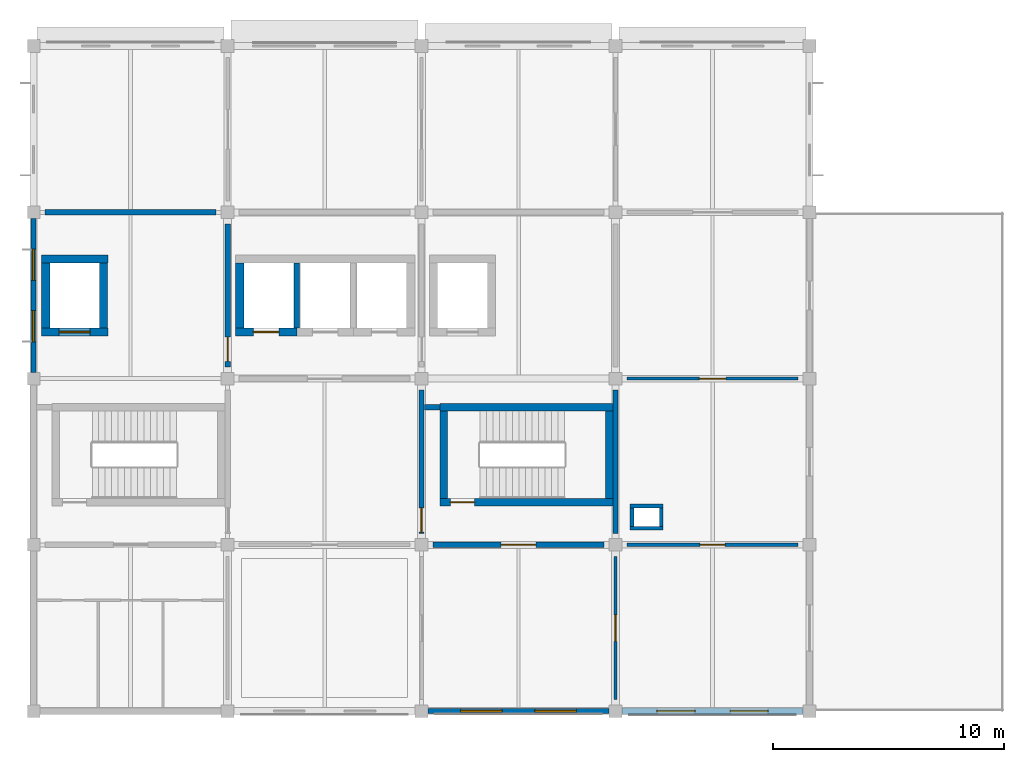
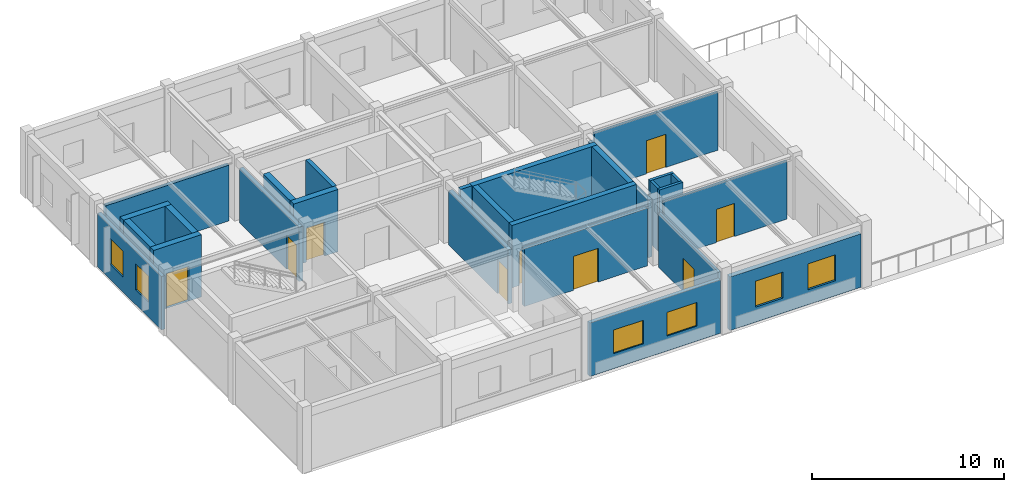
# One storey, part 3 of 6: 27 walls, 9 doors, 6 windows, 15 openings.
"""IFC4 building model written with IfcOpenShell, lengths in metres."""

from ifc_helpers import new_model, si_unit, derived_unit, direction, frame, frame_2d, origin, place, context, subcontext, project, spatial, rectangle, extrude, material, layer, layer_set, type_object, element, fill, save


model = new_model("IFC4")

# Units and contexts
model_context = context("Model", 3, precision=1e-05, world=origin(), true_north=direction((0.0, 1.0)))
body_context = subcontext(model_context, "Body", "Model", "MODEL_VIEW")
ifc_project = project(units=[si_unit("LENGTHUNIT", "METRE"), si_unit("AREAUNIT", "SQUARE_METRE"), si_unit("VOLUMEUNIT", "CUBIC_METRE"), si_unit("PLANEANGLEUNIT", "RADIAN"), si_unit("MASSUNIT", "GRAM", prefix="KILO"), derived_unit("THERMALTRANSMITTANCEUNIT", [(si_unit("MASSUNIT", "GRAM", prefix="KILO"), 1), (si_unit("TIMEUNIT", "SECOND"), -3), (si_unit("THERMODYNAMICTEMPERATUREUNIT", "KELVIN"), -1)])], contexts=[model_context])

# Site, building, storey
site_placement = place(None, origin())
site = spatial("IfcSite", under=ifc_project, at=site_placement, CompositionType="ELEMENT")
building_placement = place(site_placement, origin())
building = spatial("IfcBuilding", under=site, at=building_placement, Name="Veldstrom Oceanarium and Marine Research Institute", CompositionType="ELEMENT")
storey_placement = place(building_placement, frame((0.0, 0.0, 60.60009765625)))
storey = spatial("IfcBuildingStorey", under=building, at=storey_placement, Name="L13", CompositionType="ELEMENT", Elevation=60.60009765625)

# Wall, openings, windows
ifc_material_1 = material(Name="Masonry Cavity Wall", Category="masonry")
ifc_layer_1 = layer(ifc_material_1, 0.2900390625)
ifc_layer_set_1 = layer_set([ifc_layer_1], Name="ARC-WAL-EW2")
wall_type_1 = type_object("IfcWallType", Name="ARC-WAL-EW2", PredefinedType="SOLIDWALL", material=ifc_layer_set_1)
wall_1_placement = place(storey_placement, frame((101.074951171875, 43.199951171875, 0.0), z_axis=(0.0, 0.0, 1.0), x_axis=(1.0, 0.0, 0.0)))
wall_1 = element("IfcWall", 1, at=wall_1_placement, inside=storey, type_object=wall_type_1, Name="Exterior Facade Wall EW2 L13-261", PredefinedType="SOLIDWALL", context=body_context, shape_type="SweptSolid", body=[
    extrude(rectangle(XDim=7.85009765625, YDim=0.2900390625, at=frame_2d((3.925048828125, 0.0))), origin(), (0.0, 0.0, 1.0), 3.39501953125),
])
opening_1_placement = place(wall_1_placement, frame((1.5166015625, 0.0, 0.949951171875)))
opening_1 = element("IfcOpeningElement", 2, at=opening_1_placement, cuts=wall_1, Name="Opening W23", PredefinedType="OPENING", context=body_context, shape_type="SweptSolid", body=[
    extrude(rectangle(XDim=1.64990234375, YDim=1.64990234375, at=frame_2d((0.824951171875, 0.824951171875))), frame((0.0, 0.155029296875, 0.0), z_axis=(0.0, -1.0, 0.0), x_axis=(1.0, 0.0, 0.0)), (0.0, 0.0, 1.0), 0.31005859375),
])
opening_2_placement = place(wall_1_placement, frame((4.683349609375, 0.0, 0.949951171875)))
opening_2 = element("IfcOpeningElement", 3, at=opening_2_placement, cuts=wall_1, Name="Opening W23", PredefinedType="OPENING", context=body_context, shape_type="SweptSolid", body=[
    extrude(rectangle(XDim=1.64990234375, YDim=1.64990234375, at=frame_2d((0.824951171875, 0.824951171875))), frame((0.0, 0.155029296875, 0.0), z_axis=(0.0, -1.0, 0.0), x_axis=(1.0, 0.0, 0.0)), (0.0, 0.0, 1.0), 0.31005859375),
])
ifc_material_2 = material(Name="Double Glazed Low-E IGU", Category="glass")
window_type_1 = type_object("IfcWindowType", Name="ARC-WIN-W23", PartitioningType="SINGLE_PANEL", PredefinedType="WINDOW", material=ifc_material_2)
window_1_placement = place(opening_1_placement, origin())
window_1 = element("IfcWindow", 4, at=window_1_placement, inside=storey, type_object=window_type_1, Name="Facade Window W23 L13-0253", OverallHeight=1.64990234375, OverallWidth=1.64990234375, PartitioningType="SINGLE_PANEL", PredefinedType="WINDOW", context=body_context, shape_type="SweptSolid", body=[
    extrude(rectangle(XDim=1.64990234375, YDim=1.64990234375, at=frame_2d((0.824951171875, 0.824951171875))), frame((0.0, 0.030029296875, 0.0), z_axis=(0.0, -1.0, 0.0), x_axis=(1.0, 0.0, 0.0)), (0.0, 0.0, 1.0), 0.06005859375),
])
fill(opening_1, window_1)
window_2_placement = place(opening_2_placement, origin())
window_2 = element("IfcWindow", 5, at=window_2_placement, inside=storey, type_object=window_type_1, Name="Facade Window W23 L13-0254", OverallHeight=1.64990234375, OverallWidth=1.64990234375, PartitioningType="SINGLE_PANEL", PredefinedType="WINDOW", context=body_context, shape_type="SweptSolid", body=[
    extrude(rectangle(XDim=1.64990234375, YDim=1.64990234375, at=frame_2d((0.824951171875, 0.824951171875))), frame((0.0, 0.030029296875, 0.0), z_axis=(0.0, -1.0, 0.0), x_axis=(1.0, 0.0, 0.0)), (0.0, 0.0, 1.0), 0.06005859375),
])
fill(opening_2, window_2)

ifc_material_3 = material(Name="Masonry Cavity Wall", Category="masonry")
ifc_layer_2 = layer(ifc_material_3, 0.215087890625)
ifc_layer_set_2 = layer_set([ifc_layer_2], Name="ARC-WAL-EW6")
wall_type_2 = type_object("IfcWallType", Name="ARC-WAL-EW6", PredefinedType="SOLIDWALL", material=ifc_layer_set_2)
wall_2_placement = place(storey_placement, frame((75.60009765625, 57.875, 0.0), z_axis=(0.0, 0.0, 1.0), x_axis=(0.0, 1.0, 0.0)))
wall_2 = element("IfcWall", 6, at=wall_2_placement, inside=storey, type_object=wall_type_2, Name="Exterior Facade Wall EW6 L13-254", PredefinedType="SOLIDWALL", context=body_context, shape_type="SweptSolid", body=[
    extrude(rectangle(XDim=6.64990234375, YDim=0.215087890625, at=frame_2d((3.324951171875, 0.0))), origin(), (0.0, 0.0, 1.0), 3.39501953125),
])
opening_3_placement = place(wall_2_placement, frame((1.316650390625, 0.0, 0.949951171875)))
opening_3 = element("IfcOpeningElement", 7, at=opening_3_placement, cuts=wall_2, Name="Opening W24", PredefinedType="OPENING", context=body_context, shape_type="SweptSolid", body=[
    extrude(rectangle(XDim=1.35009765625, YDim=1.64990234375, at=frame_2d((0.675048828125, 0.824951171875))), frame((0.0, 0.117431640625, 0.0), z_axis=(0.0, -1.0, 0.0), x_axis=(1.0, 0.0, 0.0)), (0.0, 0.0, 1.0), 0.235107421875),
])
opening_4_placement = place(wall_2_placement, frame((3.9833984375, 0.0, 0.949951171875)))
opening_4 = element("IfcOpeningElement", 8, at=opening_4_placement, cuts=wall_2, Name="Opening W24", PredefinedType="OPENING", context=body_context, shape_type="SweptSolid", body=[
    extrude(rectangle(XDim=1.35009765625, YDim=1.64990234375, at=frame_2d((0.675048828125, 0.824951171875))), frame((0.0, 0.117431640625, 0.0), z_axis=(0.0, -1.0, 0.0), x_axis=(1.0, 0.0, 0.0)), (0.0, 0.0, 1.0), 0.235107421875),
])
ifc_material_4 = material(Name="Double Glazed Low-E IGU", Category="glass")
window_type_2 = type_object("IfcWindowType", Name="ARC-WIN-W24", PartitioningType="SINGLE_PANEL", PredefinedType="WINDOW", material=ifc_material_4)
window_3_placement = place(opening_3_placement, origin())
window_3 = element("IfcWindow", 9, at=window_3_placement, inside=storey, type_object=window_type_2, Name="Facade Window W24 L13-0239", OverallHeight=1.64990234375, OverallWidth=1.35009765625, PartitioningType="SINGLE_PANEL", PredefinedType="WINDOW", context=body_context, shape_type="SweptSolid", body=[
    extrude(rectangle(XDim=1.35009765625, YDim=1.64990234375, at=frame_2d((0.675048828125, 0.824951171875))), frame((0.0, 0.030029296875, 0.0), z_axis=(0.0, -1.0, 0.0), x_axis=(1.0, 0.0, 0.0)), (0.0, 0.0, 1.0), 0.06005859375),
])
fill(opening_3, window_3)
window_4_placement = place(opening_4_placement, origin())
window_4 = element("IfcWindow", 10, at=window_4_placement, inside=storey, type_object=window_type_2, Name="Facade Window W24 L13-0240", OverallHeight=1.64990234375, OverallWidth=1.35009765625, PartitioningType="SINGLE_PANEL", PredefinedType="WINDOW", context=body_context, shape_type="SweptSolid", body=[
    extrude(rectangle(XDim=1.35009765625, YDim=1.64990234375, at=frame_2d((0.675048828125, 0.824951171875))), frame((0.0, 0.030029296875, 0.0), z_axis=(0.0, -1.0, 0.0), x_axis=(1.0, 0.0, 0.0)), (0.0, 0.0, 1.0), 0.06005859375),
])
fill(opening_4, window_4)

wall_3_placement = place(storey_placement, frame((92.675048828125, 43.199951171875, 0.0), z_axis=(0.0, 0.0, 1.0), x_axis=(1.0, 0.0, 0.0)))
wall_3 = element("IfcWall", 11, at=wall_3_placement, inside=storey, type_object=wall_type_2, Name="Exterior Facade Wall EW6 L13-259", PredefinedType="SOLIDWALL", context=body_context, shape_type="SweptSolid", body=[
    extrude(rectangle(XDim=7.849853515625, YDim=0.215087890625, at=frame_2d((3.9248046875, 0.0))), origin(), (0.0, 0.0, 1.0), 3.39501953125),
])
opening_5_placement = place(wall_3_placement, frame((1.416748046875, 0.0, 0.949951171875)))
opening_5 = element("IfcOpeningElement", 12, at=opening_5_placement, cuts=wall_3, Name="Opening W14", PredefinedType="OPENING", context=body_context, shape_type="SweptSolid", body=[
    extrude(rectangle(XDim=1.800048828125, YDim=1.5, at=frame_2d((0.89990234375, 0.75))), frame((0.0, 0.117431640625, 0.0), z_axis=(0.0, -1.0, 0.0), x_axis=(1.0, 0.0, 0.0)), (0.0, 0.0, 1.0), 0.235107421875),
])
opening_6_placement = place(wall_3_placement, frame((4.63330078125, 0.0, 0.949951171875)))
opening_6 = element("IfcOpeningElement", 13, at=opening_6_placement, cuts=wall_3, Name="Opening W14", PredefinedType="OPENING", context=body_context, shape_type="SweptSolid", body=[
    extrude(rectangle(XDim=1.800048828125, YDim=1.5, at=frame_2d((0.89990234375, 0.75))), frame((0.0, 0.117431640625, 0.0), z_axis=(0.0, -1.0, 0.0), x_axis=(1.0, 0.0, 0.0)), (0.0, 0.0, 1.0), 0.235107421875),
])
ifc_material_5 = material(Name="Double Glazed Low-E IGU", Category="glass")
window_type_3 = type_object("IfcWindowType", Name="ARC-WIN-W14", PartitioningType="SINGLE_PANEL", PredefinedType="WINDOW", material=ifc_material_5)
window_5_placement = place(opening_5_placement, origin())
window_5 = element("IfcWindow", 14, at=window_5_placement, inside=storey, type_object=window_type_3, Name="Facade Window W14 L13-0249", OverallHeight=1.5, OverallWidth=1.800048828125, PartitioningType="SINGLE_PANEL", PredefinedType="WINDOW", context=body_context, shape_type="SweptSolid", body=[
    extrude(rectangle(XDim=1.800048828125, YDim=1.5, at=frame_2d((0.89990234375, 0.75))), frame((0.0, 0.030029296875, 0.0), z_axis=(0.0, -1.0, 0.0), x_axis=(1.0, 0.0, 0.0)), (0.0, 0.0, 1.0), 0.06005859375),
])
fill(opening_5, window_5)
window_6_placement = place(opening_6_placement, origin())
window_6 = element("IfcWindow", 15, at=window_6_placement, inside=storey, type_object=window_type_3, Name="Facade Window W14 L13-0250", OverallHeight=1.5, OverallWidth=1.800048828125, PartitioningType="SINGLE_PANEL", PredefinedType="WINDOW", context=body_context, shape_type="SweptSolid", body=[
    extrude(rectangle(XDim=1.800048828125, YDim=1.5, at=frame_2d((0.89990234375, 0.75))), frame((0.0, 0.030029296875, 0.0), z_axis=(0.0, -1.0, 0.0), x_axis=(1.0, 0.0, 0.0)), (0.0, 0.0, 1.0), 0.06005859375),
])
fill(opening_6, window_6)

# Wall, opening, door
ifc_material_6 = material(Name="Masonry Fire Compartment Wall", Category="masonry")
ifc_layer_3 = layer(ifc_material_6, 0.22998046875)
ifc_layer_set_3 = layer_set([ifc_layer_3], Name="ARC-WAL-PT1")
wall_type_3 = type_object("IfcWallType", Name="ARC-WAL-PT1", PredefinedType="PARTITIONING", material=ifc_layer_set_3)
wall_4_placement = place(storey_placement, frame((84.0, 58.10009765625, 0.0), z_axis=(0.0, 0.0, 1.0), x_axis=(0.0, 1.0, 0.0)))
wall_4 = element("IfcWall", 16, at=wall_4_placement, inside=storey, type_object=wall_type_3, Name="Interior Partition PT1 L13-1745", PredefinedType="PARTITIONING", context=body_context, shape_type="SweptSolid", body=[
    extrude(rectangle(XDim=6.199951171875, YDim=0.22998046875, at=frame_2d((3.10009765625, 0.0))), origin(), (0.0, 0.0, 1.0), 3.44482421875),
])
opening_7_placement = place(wall_4_placement, frame((0.25, 0.0, 0.0)))
opening_7 = element("IfcOpeningElement", 17, at=opening_7_placement, cuts=wall_4, Name="Opening D-L13-1077", PredefinedType="OPENING", context=body_context, shape_type="SweptSolid", body=[
    extrude(rectangle(XDim=1.050048828125, YDim=2.14990234375, at=frame_2d((0.52490234375, 1.074951171875))), frame((0.0, 0.125, 0.0), z_axis=(0.0, -1.0, 0.0), x_axis=(1.0, 0.0, 0.0)), (0.0, 0.0, 1.0), 0.25),
])
ifc_material_7 = material(Name="Painted Steel Fire Door", Category="steel")
door_type_1 = type_object("IfcDoorType", Name="ARC-DOR-SD1", OperationType="SINGLE_SWING_LEFT", PredefinedType="DOOR", material=ifc_material_7)
door_1_placement = place(opening_7_placement, frame((1.050048828125, 0.0, 0.0), z_axis=(0.0, 0.0, 1.0), x_axis=(-1.0, 0.0, 0.0)))
door_1 = element("IfcDoor", 18, at=door_1_placement, inside=storey, type_object=door_type_1, Name="Interior Door D-L13-1077", OperationType="SINGLE_SWING_RIGHT", OverallHeight=2.14990234375, OverallWidth=1.050048828125, PredefinedType="DOOR", context=body_context, shape_type="SweptSolid", body=[
    extrude(rectangle(XDim=1.050048828125, YDim=2.14990234375, at=frame_2d((0.52490234375, 1.074951171875))), frame((0.0, 0.02490234375, 0.0), z_axis=(0.0, -1.0, 0.0), x_axis=(1.0, 0.0, 0.0)), (0.0, 0.0, 1.0), 0.050048828125),
])
fill(opening_7, door_1)

# Wall
wall_5_placement = place(storey_placement, frame((76.10009765625, 64.800048828125, 0.0), z_axis=(0.0, 0.0, 1.0), x_axis=(1.0, 0.0, 0.0)))
element("IfcWall", 19, at=wall_5_placement, inside=storey, type_object=wall_type_3, Name="Interior Partition PT1 L13-1746", PredefinedType="PARTITIONING", context=body_context, shape_type="SweptSolid", body=[
    extrude(rectangle(XDim=7.39990234375, YDim=0.22998046875, at=frame_2d((3.699951171875, 0.0))), origin(), (0.0, 0.0, 1.0), 3.544921875),
])

# Wall, opening, door
wall_6_placement = place(storey_placement, frame((92.39990234375, 50.89990234375, 0.0), z_axis=(0.0, 0.0, 1.0), x_axis=(0.0, 1.0, 0.0)))
wall_6 = element("IfcWall", 20, at=wall_6_placement, inside=storey, type_object=wall_type_3, Name="Interior Partition PT1 L13-1750", PredefinedType="PARTITIONING", context=body_context, shape_type="SweptSolid", body=[
    extrude(rectangle(XDim=6.2001953125, YDim=0.22998046875, at=frame_2d((3.10009765625, 0.0))), origin(), (0.0, 0.0, 1.0), 3.44482421875),
])
opening_8_placement = place(wall_6_placement, frame((0.050048828125, 0.0, 0.0)))
opening_8 = element("IfcOpeningElement", 21, at=opening_8_placement, cuts=wall_6, Name="Opening D-L13-1081", PredefinedType="OPENING", context=body_context, shape_type="SweptSolid", body=[
    extrude(rectangle(XDim=1.050048828125, YDim=2.14990234375, at=frame_2d((0.52490234375, 1.074951171875))), frame((0.0, 0.125, 0.0), z_axis=(0.0, -1.0, 0.0), x_axis=(1.0, 0.0, 0.0)), (0.0, 0.0, 1.0), 0.25),
])
door_2_placement = place(opening_8_placement, frame((1.050048828125, 0.0, 0.0), z_axis=(0.0, 0.0, 1.0), x_axis=(-1.0, 0.0, 0.0)))
door_2 = element("IfcDoor", 22, at=door_2_placement, inside=storey, type_object=door_type_1, Name="Interior Door D-L13-1081", OperationType="SINGLE_SWING_RIGHT", OverallHeight=2.14990234375, OverallWidth=1.050048828125, PredefinedType="DOOR", context=body_context, shape_type="SweptSolid", body=[
    extrude(rectangle(XDim=1.050048828125, YDim=2.14990234375, at=frame_2d((0.52490234375, 1.074951171875))), frame((0.0, 0.02490234375, 0.0), z_axis=(0.0, -1.0, 0.0), x_axis=(1.0, 0.0, 0.0)), (0.0, 0.0, 1.0), 0.050048828125),
])
fill(opening_8, door_2)

wall_7_placement = place(storey_placement, frame((92.89990234375, 50.39990234375, 0.0), z_axis=(0.0, 0.0, 1.0), x_axis=(1.0, 0.0, 0.0)))
wall_7 = element("IfcWall", 23, at=wall_7_placement, inside=storey, type_object=wall_type_3, Name="Interior Partition PT1 L13-1756", PredefinedType="PARTITIONING", context=body_context, shape_type="SweptSolid", body=[
    extrude(rectangle(XDim=7.400146484375, YDim=0.22998046875, at=frame_2d((3.7001953125, 0.0))), origin(), (0.0, 0.0, 1.0), 3.65478515625),
])
opening_9_placement = place(wall_7_placement, frame((2.949951171875, 0.0, 0.0)))
opening_9 = element("IfcOpeningElement", 24, at=opening_9_placement, cuts=wall_7, Name="Opening D-L13-1086", PredefinedType="OPENING", context=body_context, shape_type="SweptSolid", body=[
    extrude(rectangle(XDim=1.5, YDim=2.14990234375, at=frame_2d((0.75, 1.074951171875))), frame((0.0, 0.125, 0.0), z_axis=(0.0, -1.0, 0.0), x_axis=(1.0, 0.0, 0.0)), (0.0, 0.0, 1.0), 0.25),
])
ifc_material_8 = material(Name="Painted Steel Lobby Fire Door", Category="steel")
door_type_2 = type_object("IfcDoorType", Name="ARC-DOR-SD2", OperationType="DOUBLE_DOOR_SINGLE_SWING", PredefinedType="DOOR", material=ifc_material_8)
door_3_placement = place(opening_9_placement, frame((1.5, 0.0, 0.0), z_axis=(0.0, 0.0, 1.0), x_axis=(-1.0, 0.0, 0.0)))
door_3 = element("IfcDoor", 25, at=door_3_placement, inside=storey, type_object=door_type_2, Name="Interior Door D-L13-1086", OperationType="DOUBLE_DOOR_SINGLE_SWING", OverallHeight=2.14990234375, OverallWidth=1.5, PredefinedType="DOOR", context=body_context, shape_type="SweptSolid", body=[
    extrude(rectangle(XDim=1.5, YDim=2.14990234375, at=frame_2d((0.75, 1.074951171875))), frame((0.0, 0.02490234375, 0.0), z_axis=(0.0, -1.0, 0.0), x_axis=(1.0, 0.0, 0.0)), (0.0, 0.0, 1.0), 0.050048828125),
])
fill(opening_9, door_3)

# Walls
wall_8_placement = place(storey_placement, frame((100.800048828125, 50.89990234375, 0.0), z_axis=(0.0, 0.0, 1.0), x_axis=(0.0, 1.0, 0.0)))
element("IfcWall", 26, at=wall_8_placement, inside=storey, type_object=wall_type_3, Name="Interior Partition PT1 L13-1757", PredefinedType="PARTITIONING", context=body_context, shape_type="SweptSolid", body=[
    extrude(rectangle(XDim=6.2001953125, YDim=0.22998046875, at=frame_2d((3.10009765625, 0.0))), origin(), (0.0, 0.0, 1.0), 3.65478515625),
])
wall_9_placement = place(storey_placement, frame((92.52001953125, 56.360107421875, 0.0), z_axis=(0.0, 0.0, 1.0), x_axis=(1.0, 0.0, 0.0)))
element("IfcWall", 27, at=wall_9_placement, inside=storey, type_object=wall_type_3, Name="Interior Partition PT1 L13-1758", PredefinedType="PARTITIONING", context=body_context, shape_type="SweptSolid", body=[
    extrude(rectangle(XDim=0.679931640625, YDim=0.22998046875, at=frame_2d((0.33984375, 0.0))), origin(), (0.0, 0.0, 1.0), 3.949951171875),
])

# Wall, opening, door
ifc_material_9 = material(Name="Drywall Corridor Partition", Category="gypsum")
ifc_layer_4 = layer(ifc_material_9, 0.155029296875)
ifc_layer_set_4 = layer_set([ifc_layer_4], Name="ARC-WAL-PT4")
wall_type_4 = type_object("IfcWallType", Name="ARC-WAL-PT4", PredefinedType="PARTITIONING", material=ifc_layer_set_4)
wall_10_placement = place(storey_placement, frame((101.300048828125, 50.39990234375, 0.0), z_axis=(0.0, 0.0, 1.0), x_axis=(1.0, 0.0, 0.0)))
wall_10 = element("IfcWall", 28, at=wall_10_placement, inside=storey, type_object=wall_type_4, Name="Interior Partition PT4 L13-1762", PredefinedType="PARTITIONING", context=body_context, shape_type="SweptSolid", body=[
    extrude(rectangle(XDim=7.39990234375, YDim=0.155029296875, at=frame_2d((3.699951171875, 0.0))), origin(), (0.0, 0.0, 1.0), 3.6748046875),
])
opening_10_placement = place(wall_10_placement, frame((3.14990234375, 0.0, 0.0)))
opening_10 = element("IfcOpeningElement", 29, at=opening_10_placement, cuts=wall_10, Name="Opening D-L13-1088", PredefinedType="OPENING", context=body_context, shape_type="SweptSolid", body=[
    extrude(rectangle(XDim=1.10009765625, YDim=2.10009765625, at=frame_2d((0.550048828125, 1.050048828125))), frame((0.0, 0.08740234375, 0.0), z_axis=(0.0, -1.0, 0.0), x_axis=(1.0, 0.0, 0.0)), (0.0, 0.0, 1.0), 0.175048828125),
])
ifc_material_10 = material(Name="Research Office Door", Category="timber")
door_type_3 = type_object("IfcDoorType", Name="ARC-DOR-ID07", OperationType="SINGLE_SWING_LEFT", PredefinedType="DOOR", material=ifc_material_10)
door_4_placement = place(opening_10_placement, frame((1.10009765625, 0.0, 0.0), z_axis=(0.0, 0.0, 1.0), x_axis=(-1.0, 0.0, 0.0)))
door_4 = element("IfcDoor", 30, at=door_4_placement, inside=storey, type_object=door_type_3, Name="Interior Door D-L13-1088", OperationType="SINGLE_SWING_LEFT", OverallHeight=2.10009765625, OverallWidth=1.10009765625, PredefinedType="DOOR", context=body_context, shape_type="SweptSolid", body=[
    extrude(rectangle(XDim=1.10009765625, YDim=2.10009765625, at=frame_2d((0.550048828125, 1.050048828125))), frame((0.0, 0.02490234375, 0.0), z_axis=(0.0, -1.0, 0.0), x_axis=(1.0, 0.0, 0.0)), (0.0, 0.0, 1.0), 0.050048828125),
])
fill(opening_10, door_4)

ifc_material_11 = material(Name="Moisture-Resistant Wet-Area Partition", Category="masonry")
ifc_layer_5 = layer(ifc_material_11, 0.139892578125)
ifc_layer_set_5 = layer_set([ifc_layer_5], Name="ARC-WAL-PT5")
wall_type_5 = type_object("IfcWallType", Name="ARC-WAL-PT5", PredefinedType="PARTITIONING", material=ifc_layer_set_5)
wall_11_placement = place(storey_placement, frame((100.800048828125, 43.699951171875, 0.0), z_axis=(0.0, 0.0, 1.0), x_axis=(0.0, 1.0, 0.0)))
wall_11 = element("IfcWall", 31, at=wall_11_placement, inside=storey, type_object=wall_type_5, Name="Interior Partition PT5 L13-1755", PredefinedType="PARTITIONING", context=body_context, shape_type="SweptSolid", body=[
    extrude(rectangle(XDim=6.199951171875, YDim=0.139892578125, at=frame_2d((3.10009765625, 0.0))), origin(), (0.0, 0.0, 1.0), 3.44482421875),
])
opening_11_placement = place(wall_11_placement, frame((2.52490234375, 0.0, 0.0)))
opening_11 = element("IfcOpeningElement", 32, at=opening_11_placement, cuts=wall_11, Name="Opening D-L13-1085", PredefinedType="OPENING", context=body_context, shape_type="SweptSolid", body=[
    extrude(rectangle(XDim=1.14990234375, YDim=2.10009765625, at=frame_2d((0.574951171875, 1.050048828125))), frame((0.0, 0.079833984375, 0.0), z_axis=(0.0, -1.0, 0.0), x_axis=(1.0, 0.0, 0.0)), (0.0, 0.0, 1.0), 0.159912109375),
])
ifc_material_12 = material(Name="Fellows Studio Door", Category="timber")
door_type_4 = type_object("IfcDoorType", Name="ARC-DOR-ID17", OperationType="SINGLE_SWING_LEFT", PredefinedType="DOOR", material=ifc_material_12)
door_5_placement = place(opening_11_placement, frame((1.14990234375, 0.0, 0.0), z_axis=(0.0, 0.0, 1.0), x_axis=(-1.0, 0.0, 0.0)))
door_5 = element("IfcDoor", 33, at=door_5_placement, inside=storey, type_object=door_type_4, Name="Interior Door D-L13-1085", OperationType="SINGLE_SWING_RIGHT", OverallHeight=2.10009765625, OverallWidth=1.14990234375, PredefinedType="DOOR", context=body_context, shape_type="SweptSolid", body=[
    extrude(rectangle(XDim=1.14990234375, YDim=2.10009765625, at=frame_2d((0.574951171875, 1.050048828125))), frame((0.0, 0.02490234375, 0.0), z_axis=(0.0, -1.0, 0.0), x_axis=(1.0, 0.0, 0.0)), (0.0, 0.0, 1.0), 0.050048828125),
])
fill(opening_11, door_5)

wall_12_placement = place(storey_placement, frame((101.300048828125, 57.60009765625, 0.0), z_axis=(0.0, 0.0, 1.0), x_axis=(1.0, 0.0, 0.0)))
wall_12 = element("IfcWall", 34, at=wall_12_placement, inside=storey, type_object=wall_type_5, Name="Interior Partition PT5 L13-1763", PredefinedType="PARTITIONING", context=body_context, shape_type="SweptSolid", body=[
    extrude(rectangle(XDim=7.39990234375, YDim=0.139892578125, at=frame_2d((3.699951171875, 0.0))), origin(), (0.0, 0.0, 1.0), 3.6748046875),
])
opening_12_placement = place(wall_12_placement, frame((3.125, 0.0, 0.0)))
opening_12 = element("IfcOpeningElement", 35, at=opening_12_placement, cuts=wall_12, Name="Opening D-L13-1089", PredefinedType="OPENING", context=body_context, shape_type="SweptSolid", body=[
    extrude(rectangle(XDim=1.14990234375, YDim=2.10009765625, at=frame_2d((0.574951171875, 1.050048828125))), frame((0.0, 0.079833984375, 0.0), z_axis=(0.0, -1.0, 0.0), x_axis=(1.0, 0.0, 0.0)), (0.0, 0.0, 1.0), 0.159912109375),
])
door_6_placement = place(opening_12_placement, origin())
door_6 = element("IfcDoor", 36, at=door_6_placement, inside=storey, type_object=door_type_4, Name="Interior Door D-L13-1089", OperationType="SINGLE_SWING_LEFT", OverallHeight=2.10009765625, OverallWidth=1.14990234375, PredefinedType="DOOR", context=body_context, shape_type="SweptSolid", body=[
    extrude(rectangle(XDim=1.14990234375, YDim=2.10009765625, at=frame_2d((0.574951171875, 1.050048828125))), frame((0.0, 0.02490234375, 0.0), z_axis=(0.0, -1.0, 0.0), x_axis=(1.0, 0.0, 0.0)), (0.0, 0.0, 1.0), 0.050048828125),
])
fill(opening_12, door_6)

# Walls
ifc_material_13 = material(Name="Service Riser Fire Shaft Wall", Category="masonry")
ifc_layer_6 = layer(ifc_material_13, 0.1650390625)
ifc_layer_set_6 = layer_set([ifc_layer_6], Name="ARC-WAL-PT9")
wall_type_6 = type_object("IfcWallType", Name="ARC-WAL-PT9", PredefinedType="PARTITIONING", material=ifc_layer_set_6)
for number, where, z_axis, x_axis, name in (
    (37, (101.43505859375, 51.117431640625, 0.0), (0.0, 0.0, 1.0), (1.0, 0.0, 0.0), "Service Riser Fire Shaft Wall L13-CE-S"),
    (38, (101.43505859375, 52.08251953125, 0.0), (0.0, 0.0, 1.0), (1.0, 0.0, 0.0), "Service Riser Fire Shaft Wall L13-CE-N"),
):
    element("IfcWall", number, at=place(storey_placement, frame(where, z_axis=z_axis, x_axis=x_axis)), inside=storey, type_object=wall_type_6, Name=name, PredefinedType="PARTITIONING", context=body_context, shape_type="SweptSolid", body=[
        extrude(rectangle(XDim=1.429931640625, YDim=0.1650390625, at=frame_2d((0.71484375, 0.0))), origin(), (0.0, 0.0, 1.0), 3.949951171875),
    ])
for number, where, z_axis, x_axis, name in (
    (39, (101.517578125, 51.199951171875, 0.0), (0.0, 0.0, 1.0), (0.0, 1.0, 0.0), "Service Riser Fire Shaft Wall L13-CE-W"),
    (40, (102.782470703125, 51.199951171875, 0.0), (0.0, 0.0, 1.0), (0.0, 1.0, 0.0), "Service Riser Fire Shaft Wall L13-CE-E"),
):
    element("IfcWall", number, at=place(storey_placement, frame(where, z_axis=z_axis, x_axis=x_axis)), inside=storey, type_object=wall_type_6, Name=name, PredefinedType="PARTITIONING", context=body_context, shape_type="SweptSolid", body=[
        extrude(rectangle(XDim=0.800048828125, YDim=0.1650390625, at=frame_2d((0.39990234375, 0.0))), origin(), (0.0, 0.0, 1.0), 3.949951171875),
    ])
ifc_material_14 = material(Name="Concrete C40/50", Category="concrete")
ifc_layer_7 = layer(ifc_material_14, 0.360107421875)
ifc_layer_set_7 = layer_set([ifc_layer_7], Name="STR-WAL-WC2")
wall_type_7 = type_object("IfcWallType", Name="STR-WAL-WC2", PredefinedType="SHEAR", material=ifc_layer_set_7)
wall_13_placement = place(storey_placement, frame((75.93994140625, 62.780029296875, 0.0), z_axis=(0.0, 0.0, 1.0), x_axis=(1.0, 0.0, 0.0)))
element("IfcWall", 41, at=wall_13_placement, inside=storey, type_object=wall_type_7, Name="Lift Shaft Shear Wall N L13 9/8", PredefinedType="SHEAR", context=body_context, shape_type="SweptSolid", body=[
    extrude(rectangle(XDim=2.8701171875, YDim=0.360107421875, at=frame_2d((1.43505859375, 0.0))), origin(), (0.0, 0.0, 1.0), 3.949951171875),
])

# Wall, opening, door
wall_14_placement = place(storey_placement, frame((75.93994140625, 59.6201171875, 0.0), z_axis=(0.0, 0.0, 1.0), x_axis=(1.0, 0.0, 0.0)))
wall_14 = element("IfcWall", 42, at=wall_14_placement, inside=storey, type_object=wall_type_7, Name="Lift Shaft Front Shear Wall LF1 L13", PredefinedType="SHEAR", context=body_context, shape_type="SweptSolid", body=[
    extrude(rectangle(XDim=2.8701171875, YDim=0.360107421875, at=frame_2d((1.43505859375, 0.0))), origin(), (0.0, 0.0, 1.0), 3.949951171875),
])
opening_13_placement = place(wall_14_placement, frame((0.760009765625, 0.0, 0.0)))
opening_13 = element("IfcOpeningElement", 43, at=opening_13_placement, cuts=wall_14, Name="Opening LD-LF1-L13", PredefinedType="OPENING", context=body_context, shape_type="SweptSolid", body=[
    extrude(rectangle(XDim=1.35009765625, YDim=2.199951171875, at=frame_2d((0.675048828125, 1.10009765625))), frame((0.0, 0.18994140625, 0.0), z_axis=(0.0, -1.0, 0.0), x_axis=(1.0, 0.0, 0.0)), (0.0, 0.0, 1.0), 0.380126953125),
])
ifc_material_15 = material(Name="Stainless Steel Lift Landing Door", Category="steel")
door_type_5 = type_object("IfcDoorType", Name="ARC-DOR-LD3", OperationType="DOUBLE_DOOR_SLIDING", PredefinedType="DOOR", material=ifc_material_15)
door_7_placement = place(opening_13_placement, origin())
door_7 = element("IfcDoor", 44, at=door_7_placement, inside=storey, type_object=door_type_5, Name="Lift Landing Door LD-LF1-L13", OperationType="DOUBLE_DOOR_SLIDING", OverallHeight=2.199951171875, OverallWidth=1.35009765625, PredefinedType="DOOR", context=body_context, shape_type="SweptSolid", body=[
    extrude(rectangle(XDim=1.35009765625, YDim=2.199951171875, at=frame_2d((0.675048828125, 1.10009765625))), frame((0.0, 0.02490234375, 0.0), z_axis=(0.0, -1.0, 0.0), x_axis=(1.0, 0.0, 0.0)), (0.0, 0.0, 1.0), 0.050048828125),
])
fill(opening_13, door_7)

# Walls
for number, where, z_axis, x_axis, name in (
    (45, (76.1201171875, 59.800048828125, 0.0), (0.0, 0.0, 1.0), (0.0, 1.0, 0.0), "Lift Shaft Shear Wall W L13 9/8"),
    (46, (78.6298828125, 59.800048828125, 0.0), (0.0, 0.0, 1.0), (0.0, 1.0, 0.0), "Lift Shaft Shear Wall E L13 9/8"),
):
    element("IfcWall", number, at=place(storey_placement, frame(where, z_axis=z_axis, x_axis=x_axis)), inside=storey, type_object=wall_type_7, Name=name, PredefinedType="SHEAR", context=body_context, shape_type="SweptSolid", body=[
        extrude(rectangle(XDim=2.800048828125, YDim=0.360107421875, at=frame_2d((1.39990234375, 0.0))), origin(), (0.0, 0.0, 1.0), 3.949951171875),
    ])

# Wall, opening, door
wall_15_placement = place(storey_placement, frame((84.340087890625, 59.6201171875, 0.0), z_axis=(0.0, 0.0, 1.0), x_axis=(1.0, 0.0, 0.0)))
wall_15 = element("IfcWall", 47, at=wall_15_placement, inside=storey, type_object=wall_type_7, Name="Lift Shaft Front Shear Wall LP1 L13", PredefinedType="SHEAR", context=body_context, shape_type="SweptSolid", body=[
    extrude(rectangle(XDim=2.659912109375, YDim=0.360107421875, at=frame_2d((1.330078125, 0.0))), origin(), (0.0, 0.0, 1.0), 3.949951171875),
])
opening_14_placement = place(wall_15_placement, frame((0.780029296875, 0.0, 0.0)))
opening_14 = element("IfcOpeningElement", 48, at=opening_14_placement, cuts=wall_15, Name="Opening LD-LP1-L13", PredefinedType="OPENING", context=body_context, shape_type="SweptSolid", body=[
    extrude(rectangle(XDim=1.10009765625, YDim=2.14990234375, at=frame_2d((0.550048828125, 1.074951171875))), frame((0.0, 0.18994140625, 0.0), z_axis=(0.0, -1.0, 0.0), x_axis=(1.0, 0.0, 0.0)), (0.0, 0.0, 1.0), 0.380126953125),
])
ifc_material_16 = material(Name="Stainless Steel Lift Landing Door", Category="steel")
door_type_6 = type_object("IfcDoorType", Name="ARC-DOR-LD1", OperationType="DOUBLE_DOOR_SLIDING", PredefinedType="DOOR", material=ifc_material_16)
door_8_placement = place(opening_14_placement, origin())
door_8 = element("IfcDoor", 49, at=door_8_placement, inside=storey, type_object=door_type_6, Name="Lift Landing Door LD-LP1-L13", OperationType="DOUBLE_DOOR_SLIDING", OverallHeight=2.14990234375, OverallWidth=1.10009765625, PredefinedType="DOOR", context=body_context, shape_type="SweptSolid", body=[
    extrude(rectangle(XDim=1.10009765625, YDim=2.14990234375, at=frame_2d((0.550048828125, 1.074951171875))), frame((0.0, 0.02490234375, 0.0), z_axis=(0.0, -1.0, 0.0), x_axis=(1.0, 0.0, 0.0)), (0.0, 0.0, 1.0), 0.050048828125),
])
fill(opening_14, door_8)

# Wall
wall_16_placement = place(storey_placement, frame((84.52001953125, 59.800048828125, 0.0), z_axis=(0.0, 0.0, 1.0), x_axis=(0.0, 1.0, 0.0)))
element("IfcWall", 50, at=wall_16_placement, inside=storey, type_object=wall_type_7, Name="Lift Shaft Shear Wall W L13 10/8", PredefinedType="SHEAR", context=body_context, shape_type="SweptSolid", body=[
    extrude(rectangle(XDim=2.800048828125, YDim=0.360107421875, at=frame_2d((1.39990234375, 0.0))), origin(), (0.0, 0.0, 1.0), 3.949951171875),
])

# Wall, opening, door
ifc_material_17 = material(Name="Concrete C40/50", Category="concrete")
ifc_layer_8 = layer(ifc_material_17, 0.320068359375)
ifc_layer_set_8 = layer_set([ifc_layer_8], Name="STR-WAL-WC3")
wall_type_8 = type_object("IfcWallType", Name="STR-WAL-WC3", PredefinedType="SHEAR", material=ifc_layer_set_8)
wall_17_placement = place(storey_placement, frame((93.199951171875, 52.239990234375, 0.0), z_axis=(0.0, 0.0, 1.0), x_axis=(1.0, 0.0, 0.0)))
wall_17 = element("IfcWall", 51, at=wall_17_placement, inside=storey, type_object=wall_type_8, Name="Stair Core Shear Wall SC2-L13-S", PredefinedType="SHEAR", context=body_context, shape_type="SweptSolid", body=[
    extrude(rectangle(XDim=7.47998046875, YDim=0.320068359375, at=frame_2d((3.739990234375, 0.0))), origin(), (0.0, 0.0, 1.0), 3.949951171875),
])
opening_15_placement = place(wall_17_placement, frame((0.449951171875, 0.0, 0.0)))
opening_15 = element("IfcOpeningElement", 52, at=opening_15_placement, cuts=wall_17, Name="Opening D-ST2-L13", PredefinedType="OPENING", context=body_context, shape_type="SweptSolid", body=[
    extrude(rectangle(XDim=1.050048828125, YDim=2.14990234375, at=frame_2d((0.52490234375, 1.074951171875))), frame((0.0, 0.169921875, 0.0), z_axis=(0.0, -1.0, 0.0), x_axis=(1.0, 0.0, 0.0)), (0.0, 0.0, 1.0), 0.340087890625),
])
door_9_placement = place(opening_15_placement, origin())
door_9 = element("IfcDoor", 53, at=door_9_placement, inside=storey, type_object=door_type_1, Name="Escape Stair Fire Door D-ST2-L13", OperationType="SINGLE_SWING_LEFT", OverallHeight=2.14990234375, OverallWidth=1.050048828125, PredefinedType="DOOR", context=body_context, shape_type="SweptSolid", body=[
    extrude(rectangle(XDim=1.050048828125, YDim=2.14990234375, at=frame_2d((0.52490234375, 1.074951171875))), frame((0.0, 0.02490234375, 0.0), z_axis=(0.0, -1.0, 0.0), x_axis=(1.0, 0.0, 0.0)), (0.0, 0.0, 1.0), 0.050048828125),
])
fill(opening_15, door_9)

# Walls
wall_18_placement = place(storey_placement, frame((93.199951171875, 56.360107421875, 0.0), z_axis=(0.0, 0.0, 1.0), x_axis=(1.0, 0.0, 0.0)))
element("IfcWall", 54, at=wall_18_placement, inside=storey, type_object=wall_type_8, Name="Stair Core Shear Wall SC2-L13-N", PredefinedType="SHEAR", context=body_context, shape_type="SweptSolid", body=[
    extrude(rectangle(XDim=7.47998046875, YDim=0.320068359375, at=frame_2d((3.739990234375, 0.0))), origin(), (0.0, 0.0, 1.0), 3.949951171875),
])
for number, where, z_axis, x_axis, name in (
    (55, (93.360107421875, 52.39990234375, 0.0), (0.0, 0.0, 1.0), (0.0, 1.0, 0.0), "Stair Core Shear Wall SC2-L13-W"),
    (56, (100.52001953125, 52.39990234375, 0.0), (0.0, 0.0, 1.0), (0.0, 1.0, 0.0), "Stair Core Shear Wall SC2-L13-E"),
):
    element("IfcWall", number, at=place(storey_placement, frame(where, z_axis=z_axis, x_axis=x_axis)), inside=storey, type_object=wall_type_8, Name=name, PredefinedType="SHEAR", context=body_context, shape_type="SweptSolid", body=[
        extrude(rectangle(XDim=3.800048828125, YDim=0.320068359375, at=frame_2d((1.89990234375, 0.0))), origin(), (0.0, 0.0, 1.0), 3.949951171875),
    ])
ifc_material_18 = material(Name="Concrete C40/50", Category="concrete")
ifc_layer_9 = layer(ifc_material_18, 0.239990234375)
ifc_layer_set_9 = layer_set([ifc_layer_9], Name="STR-WAL-WC4")
wall_type_9 = type_object("IfcWallType", Name="STR-WAL-WC4", PredefinedType="SHEAR", material=ifc_layer_set_9)
wall_19_placement = place(storey_placement, frame((87.0, 59.800048828125, 0.0), z_axis=(0.0, 0.0, 1.0), x_axis=(0.0, 1.0, 0.0)))
element("IfcWall", 57, at=wall_19_placement, inside=storey, type_object=wall_type_9, Name="Lift Shaft Divider Wall L13 10/8-1", PredefinedType="SHEAR", context=body_context, shape_type="SweptSolid", body=[
    extrude(rectangle(XDim=2.800048828125, YDim=0.239990234375, at=frame_2d((1.39990234375, 0.0))), origin(), (0.0, 0.0, 1.0), 3.949951171875),
])

save(model, "model.ifc")
